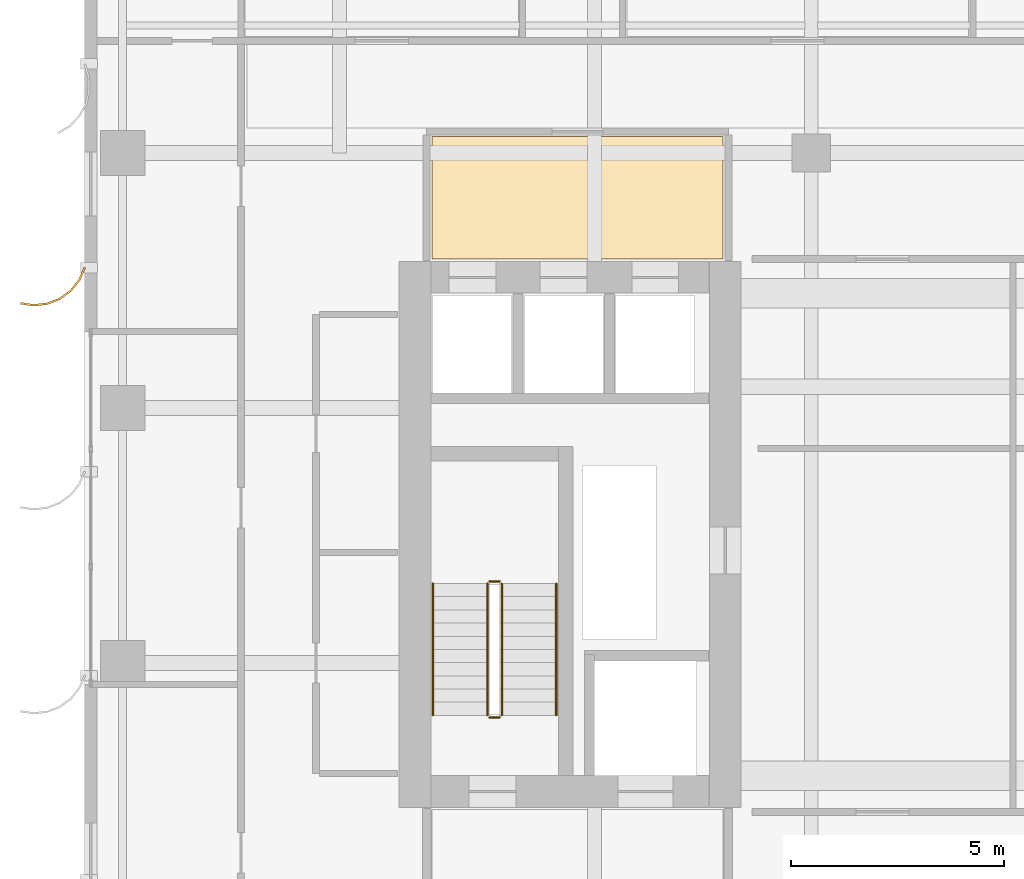
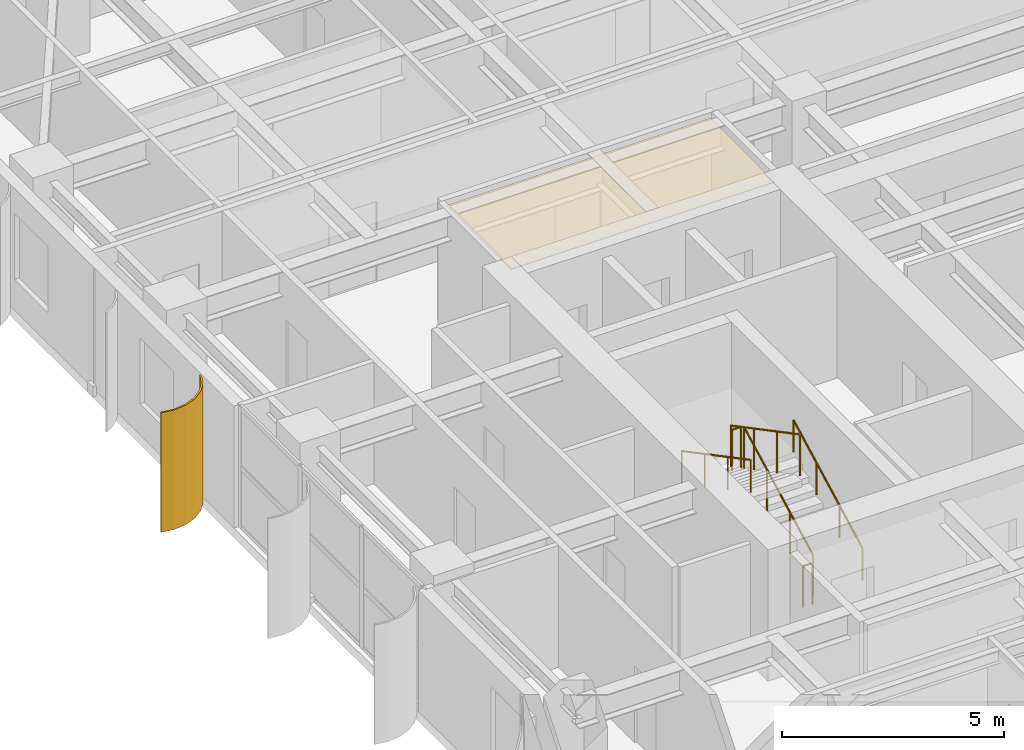
# One storey, part 20 of 22: 6 railings, 1 covering, 1 shading device.
"""IFC4 building model written with IfcOpenShell, lengths in metres."""

from ifc_helpers import new_model, si_unit, direction, frame, origin, origin_2d, place, context, subcontext, project, spatial, polyline, circle, outline, extrude, source, transform, mapped, material, layer, layer_set, type_object, element, save


model = new_model("IFC4")

# Units and contexts
model_context = context("Model", 3, precision=1e-05, world=origin(), true_north=direction((0.0, 1.0)))
body_context = subcontext(model_context, "Body", "Model", "MODEL_VIEW")
ifc_project = project(units=[si_unit("LENGTHUNIT", "METRE"), si_unit("AREAUNIT", "SQUARE_METRE"), si_unit("VOLUMEUNIT", "CUBIC_METRE"), si_unit("PLANEANGLEUNIT", "RADIAN"), si_unit("MASSUNIT", "GRAM", prefix="KILO")], contexts=[model_context])

# Site, building, storey
site_placement = place(None, origin())
site = spatial("IfcSite", under=ifc_project, at=site_placement, CompositionType="ELEMENT")
building_placement = place(site_placement, origin())
building = spatial("IfcBuilding", under=site, at=building_placement, Name="Khoralis Quay Care Tower", CompositionType="ELEMENT")
storey_placement = place(building_placement, frame((0.0, 0.0, 94.5)))
storey = spatial("IfcBuildingStorey", under=building, at=storey_placement, Name="L24", CompositionType="ELEMENT", Elevation=94.5)

# Covering
ifc_material_1 = material(Name="Mineral-fibre acoustic ceiling tile")
ifc_layer_1 = layer(ifc_material_1, 0.01806640625)
ifc_layer_set_1 = layer_set([ifc_layer_1], Name="Mineral-fibre acoustic ceiling tile")
covering_type = type_object("IfcCoveringType", Name="COV-CEIL-AC18", PredefinedType="CEILING", material=ifc_layer_set_1)
covering_placement = place(storey_placement, frame((0.0, 0.0, 3.19189453125)))
element("IfcCovering", 1, at=covering_placement, inside=storey, type_object=covering_type, Name="Suspended Acoustic Ceiling SP-L24-LLOB-W", PredefinedType="CEILING", context=body_context, shape_type="SweptSolid", body=[
    extrude(outline(polyline([(8.179931640625, 27.5), (15.02001953125, 27.5), (15.02001953125, 30.389892578125), (8.179931640625, 30.389892578125), (8.179931640625, 27.5)])), origin(), (0.0, 0.0, 1.0), 0.01806640625),
])

# Railings
ifc_material_2 = material(Name="Brushed stainless steel", Category="steel")
railing_type_1 = type_object("IfcRailingType", Name="RL-GUARD-1150", PredefinedType="GUARDRAIL", material=ifc_material_2)
railing_1_placement = place(storey_placement, frame((9.820068359375, 16.77001953125, 0.16357421875)))
element("IfcRailing", 2, at=railing_1_placement, inside=storey, type_object=railing_type_1, Name="L24 ST-T1 stair guard 1", PredefinedType="GUARDRAIL", context=body_context, shape_type="SweptSolid", body=[
    extrude(circle(Radius=0.02392578125, at=origin_2d()), frame((0.0, 0.0, 1.1259765625), z_axis=(0.0, 0.884348015382, 0.466828220752), x_axis=(-1.0, 0.0, 0.0)), (0.0, 0.0, 1.0), 3.505615234375),
    extrude(circle(Radius=0.02099609375, at=origin_2d()), origin(), (0.0, 0.0, 1.0), 1.101806640625),
    extrude(circle(Radius=0.02099609375, at=origin_2d()), frame((0.0, 1.033447265625, 0.54541015625)), (0.0, 0.0, 1.0), 1.101806640625),
    extrude(circle(Radius=0.02099609375, at=origin_2d()), frame((0.0, 2.066650390625, 1.091064453125)), (0.0, 0.0, 1.0), 1.101806640625),
    extrude(circle(Radius=0.02099609375, at=origin_2d()), frame((0.0, 3.10009765625, 1.636474609375)), (0.0, 0.0, 1.0), 1.101806640625),
])
railing_2_placement = place(storey_placement, frame((9.77001953125, 19.919921875, 1.800048828125)))
element("IfcRailing", 3, at=railing_2_placement, inside=storey, type_object=railing_type_1, Name="L24 ST-T1 stair guard 2", PredefinedType="GUARDRAIL", context=body_context, shape_type="SweptSolid", body=[
    extrude(circle(Radius=0.02392578125, at=origin_2d()), frame((0.0, 0.0, 1.1259765625), z_axis=(-1.0, 0.0, 0.0), x_axis=(0.0, -1.0, 0.0)), (0.0, 0.0, 1.0), 0.239990234375),
    extrude(circle(Radius=0.02099609375, at=origin_2d()), origin(), (0.0, 0.0, 1.0), 1.101806640625),
    extrude(circle(Radius=0.02099609375, at=origin_2d()), frame((-0.239990234375, 0.0, 0.0)), (0.0, 0.0, 1.0), 1.101806640625),
])
railing_3_placement = place(storey_placement, frame((9.47998046875, 19.8701171875, 1.963623046875)))
element("IfcRailing", 4, at=railing_3_placement, inside=storey, type_object=railing_type_1, Name="L24 ST-T1 stair guard 3", PredefinedType="GUARDRAIL", context=body_context, shape_type="SweptSolid", body=[
    extrude(circle(Radius=0.02392578125, at=origin_2d()), frame((0.0, 0.0, 1.1259765625), z_axis=(0.0, -0.884348015382, 0.466828220752), x_axis=(1.0, 0.0, 0.0)), (0.0, 0.0, 1.0), 3.505615234375),
    extrude(circle(Radius=0.02099609375, at=origin_2d()), origin(), (0.0, 0.0, 1.0), 1.101806640625),
    extrude(circle(Radius=0.02099609375, at=origin_2d()), frame((0.0, -1.033447265625, 0.54541015625)), (0.0, 0.0, 1.0), 1.101806640625),
    extrude(circle(Radius=0.02099609375, at=origin_2d()), frame((0.0, -2.066650390625, 1.091064453125)), (0.0, 0.0, 1.0), 1.101806640625),
    extrude(circle(Radius=0.02099609375, at=origin_2d()), frame((0.0, -3.10009765625, 1.636474609375)), (0.0, 0.0, 1.0), 1.101806640625),
])
railing_4_placement = place(storey_placement, frame((9.77001953125, 16.719970703125, 0.0)))
element("IfcRailing", 5, at=railing_4_placement, inside=storey, type_object=railing_type_1, Name="L24 ST-T1 stair guard 4", PredefinedType="GUARDRAIL", context=body_context, shape_type="SweptSolid", body=[
    extrude(circle(Radius=0.02392578125, at=origin_2d()), frame((0.0, 0.0, 1.1259765625), z_axis=(-1.0, 0.0, 0.0), x_axis=(0.0, -1.0, 0.0)), (0.0, 0.0, 1.0), 0.239990234375),
    extrude(circle(Radius=0.02099609375, at=origin_2d()), origin(), (0.0, 0.0, 1.0), 1.101806640625),
    extrude(circle(Radius=0.02099609375, at=origin_2d()), frame((-0.239990234375, 0.0, 0.0)), (0.0, 0.0, 1.0), 1.101806640625),
])
railing_type_2 = type_object("IfcRailingType", Name="RL-HAND-900", PredefinedType="HANDRAIL", material=ifc_material_2)
railing_5_placement = place(storey_placement, frame((11.10009765625, 16.77001953125, 0.16357421875)))
element("IfcRailing", 6, at=railing_5_placement, inside=storey, type_object=railing_type_2, Name="L24 ST-T1 stair handrail 1", PredefinedType="HANDRAIL", context=body_context, shape_type="SweptSolid", body=[
    extrude(circle(Radius=0.02392578125, at=origin_2d()), frame((0.0, 0.0, 0.8759765625), z_axis=(0.0, 0.884348015382, 0.466828220752), x_axis=(-1.0, 0.0, 0.0)), (0.0, 0.0, 1.0), 3.505615234375),
    extrude(circle(Radius=0.02099609375, at=origin_2d()), origin(), (0.0, 0.0, 1.0), 0.851806640625),
    extrude(circle(Radius=0.02099609375, at=origin_2d()), frame((0.0, 1.033447265625, 0.54541015625)), (0.0, 0.0, 1.0), 0.851806640625),
    extrude(circle(Radius=0.02099609375, at=origin_2d()), frame((0.0, 2.066650390625, 1.091064453125)), (0.0, 0.0, 1.0), 0.851806640625),
    extrude(circle(Radius=0.02099609375, at=origin_2d()), frame((0.0, 3.10009765625, 1.636474609375)), (0.0, 0.0, 1.0), 0.851806640625),
])
railing_6_placement = place(storey_placement, frame((8.199951171875, 19.8701171875, 1.963623046875)))
element("IfcRailing", 7, at=railing_6_placement, inside=storey, type_object=railing_type_2, Name="L24 ST-T1 stair handrail 2", PredefinedType="HANDRAIL", context=body_context, shape_type="SweptSolid", body=[
    extrude(circle(Radius=0.02392578125, at=origin_2d()), frame((0.0, 0.0, 0.8759765625), z_axis=(0.0, -0.884348015382, 0.466828220752), x_axis=(1.0, 0.0, 0.0)), (0.0, 0.0, 1.0), 3.505615234375),
    extrude(circle(Radius=0.02099609375, at=origin_2d()), origin(), (0.0, 0.0, 1.0), 0.851806640625),
    extrude(circle(Radius=0.02099609375, at=origin_2d()), frame((0.0, -1.033447265625, 0.54541015625)), (0.0, 0.0, 1.0), 0.851806640625),
    extrude(circle(Radius=0.02099609375, at=origin_2d()), frame((0.0, -2.066650390625, 1.091064453125)), (0.0, 0.0, 1.0), 0.851806640625),
    extrude(circle(Radius=0.02099609375, at=origin_2d()), frame((0.0, -3.10009765625, 1.636474609375)), (0.0, 0.0, 1.0), 0.851806640625),
])

# Shading device
ifc_material_3 = material(Name="Brushed pale anodised aluminium", Category="aluminium")
ifc_layer_2 = layer(ifc_material_3, 0.044921875)
ifc_layer_set_2 = layer_set([ifc_layer_2], Name="Brushed pale anodised aluminium")
shading_device_type = type_object("IfcShadingDeviceType", Name="SHD-FIN-1250", PredefinedType="USERDEFINED", material=ifc_layer_set_2)
shared_shape = source(origin(), body_context, "Body", "SweptSolid", [
    extrude(outline(polyline([(0.0, 0.0), (0.130126953125, 0.29931640625), (0.333251953125, 0.5546875), (0.595458984375, 0.748779296875), (0.899169921875, 0.868408203125), (1.223388671875, 0.9052734375), (1.546142578125, 0.85693359375), (1.53369140625, 0.813720703125), (1.22265625, 0.8603515625), (0.91015625, 0.82470703125), (0.617431640625, 0.70947265625), (0.364501953125, 0.522216796875), (0.168701171875, 0.276123046875), (0.043212890625, -0.012451171875), (0.0, 0.0)])), origin(), (0.0, 0.0, 1.0), 3.280029296875),
])
shading_device_placement = place(storey_placement, frame((0.030029296875, 27.300048828125, 0.02001953125), z_axis=(0.0, 0.0, 1.0), x_axis=(-1.0, 0.0, 0.0)))
element("IfcShadingDevice", 8, at=shading_device_placement, inside=storey, type_object=shading_device_type, Name="L24 Curved Solar Fin P1E15-03", ObjectType="FIN", PredefinedType="USERDEFINED", context=body_context, shape_type="MappedRepresentation", body=[
    mapped(shared_shape, transform((0.0, 0.0, 0.0), scale=1.0)),
])

save(model, "model.ifc")
